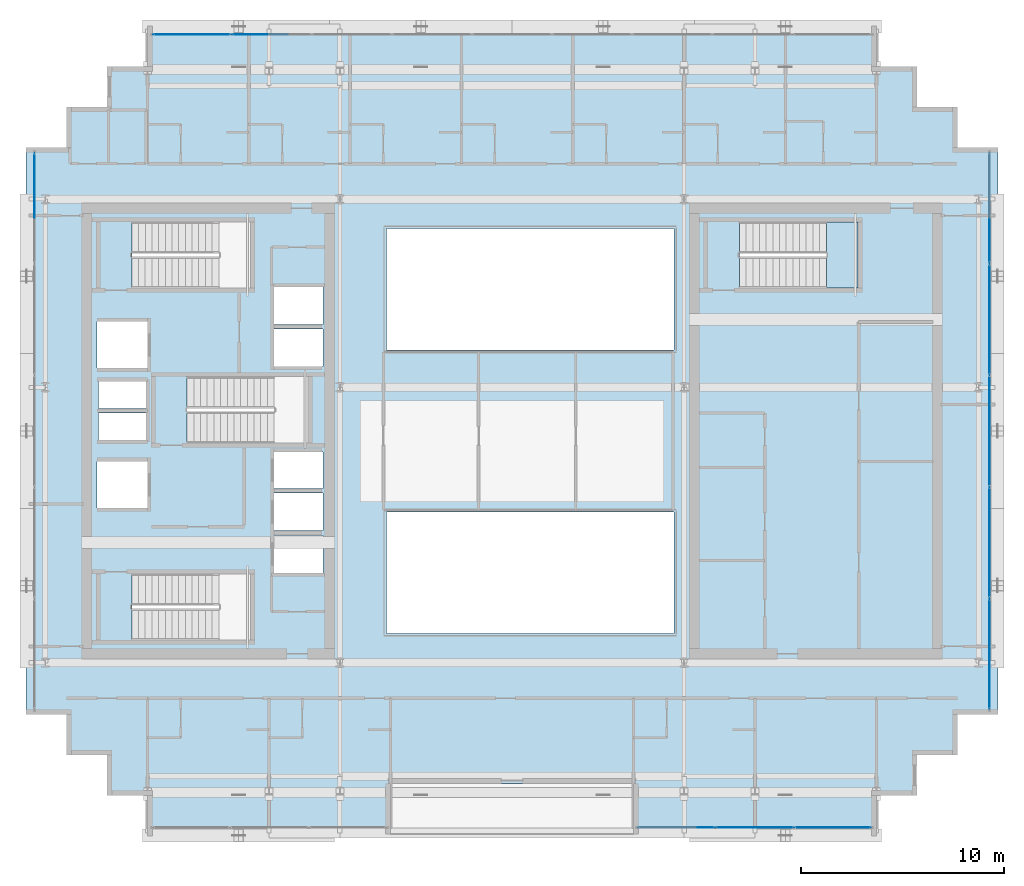
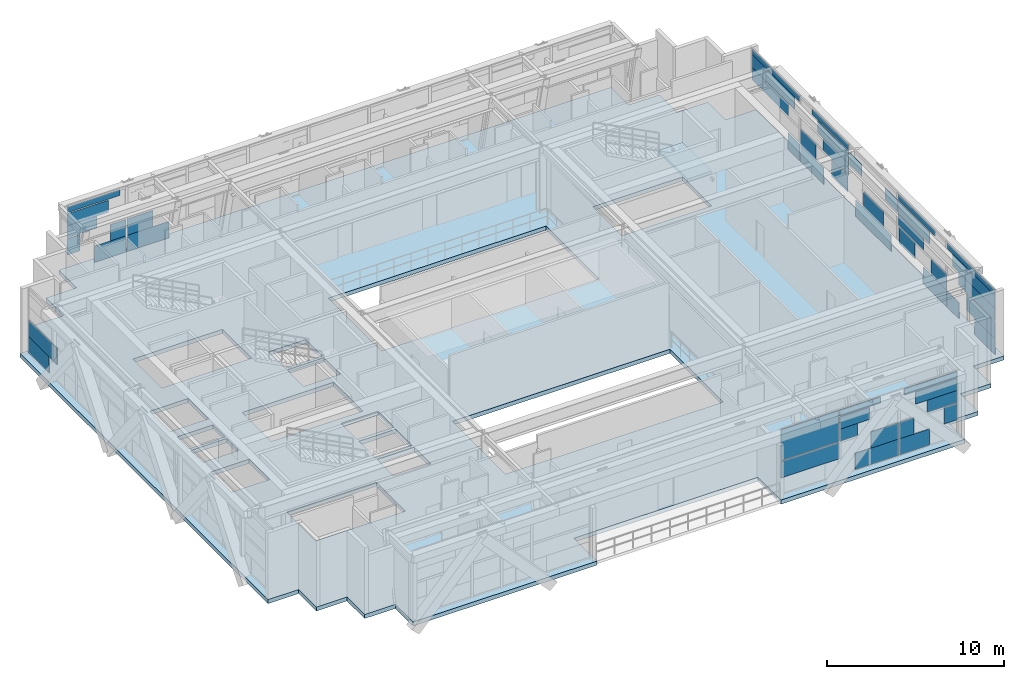
# One storey, part 20 of 31: 49 plates, 2 slabs, 5 elements without a shape of their own.
"""IFC4 building model written with IfcOpenShell, lengths in metres."""

from ifc_helpers import new_model, si_unit, direction, frame, origin, origin_2d, place, context, subcontext, project, spatial, polyline, rectangle, outline, extrude, source, transform, mapped, material, layer, layer_set, type_object, element, aggregate, save


model = new_model("IFC4")

# Units and contexts
model_context = context("Model", 3, precision=1e-05, world=origin(), true_north=direction((0.0, 1.0)))
body_context = subcontext(model_context, "Body", "Model", "MODEL_VIEW")
ifc_project = project(units=[si_unit("LENGTHUNIT", "METRE"), si_unit("AREAUNIT", "SQUARE_METRE"), si_unit("VOLUMEUNIT", "CUBIC_METRE"), si_unit("PLANEANGLEUNIT", "RADIAN"), si_unit("MASSUNIT", "GRAM", prefix="KILO")], contexts=[model_context])

# Site, building, storey
site_placement = place(None, origin())
site = spatial("IfcSite", under=ifc_project, at=site_placement, CompositionType="ELEMENT")
building_placement = place(site_placement, origin())
building = spatial("IfcBuilding", under=site, at=building_placement, Name="Ocotamira Hotel", CompositionType="ELEMENT")
storey_placement = place(building_placement, frame((0.0, 0.0, 228.0)))
storey = spatial("IfcBuildingStorey", under=building, at=storey_placement, Name="L57", CompositionType="ELEMENT", Elevation=228.0)

# Stair, slab
ifc_material_1 = material(Name="Concrete C40/50", Category="concrete")
stair_type = type_object("IfcStairType", Name="ST-CORE-1560", PredefinedType="HALF_TURN_STAIR", material=ifc_material_1)
stair_placement = place(storey_placement, origin())
stair = element("IfcStair", 1, at=stair_placement, inside=storey, type_object=stair_type, Name="L57 Exit Stair ST-4", PredefinedType="HALF_TURN_STAIR")
ifc_layer_1 = layer(ifc_material_1, 0.199951171875)
ifc_layer_set_1 = layer_set([ifc_layer_1], Name="Concrete C40/50")
slab_type_1 = type_object("IfcSlabType", Name="SLB-LAND-200", PredefinedType="LANDING", material=ifc_layer_set_1)
slab_1_placement = place(storey_placement, frame((0.0, 0.0, 2.199951171875)))
slab_1 = element("IfcSlab", 2, at=slab_1_placement, type_object=slab_type_1, Name="ST-4 landing 1", PredefinedType="LANDING", context=body_context, shape_type="SweptSolid", body=[
    extrude(outline(polyline([(47.52001953125, 33.050048828125), (49.090087890625, 33.050048828125), (49.090087890625, 36.330078125), (47.52001953125, 36.330078125), (47.52001953125, 33.050048828125)])), origin(), (0.0, 0.0, 1.0), 0.199951171875),
])
aggregate(stair, [slab_1])

# Slab
ifc_layer_2 = layer(ifc_material_1, 0.280029296875)
ifc_layer_set_2 = layer_set([ifc_layer_2], Name="Concrete C40/50")
slab_type_2 = type_object("IfcSlabType", Name="SLB-SKY-280", PredefinedType="FLOOR", material=ifc_layer_set_2)
slab_2_placement = place(storey_placement, frame((0.0, 0.0, -0.280029296875)))
element("IfcSlab", 3, at=slab_2_placement, inside=storey, type_object=slab_type_2, Name="L57 Structural Floor Slab", PredefinedType="FLOOR", context=body_context, shape_type="SweptSolid", body=[
    extrude(outline(polyline([(14.0, 6.0), (14.0, 8.0), (12.0, 8.0), (12.0, 10.0), (10.0, 10.0), (10.0, 12.0), (8.0, 12.0), (8.0, 40.0), (10.0, 40.0), (10.0, 42.0), (12.0, 42.0), (12.0, 44.0), (14.0, 44.0), (14.0, 46.0), (50.0, 46.0), (50.0, 44.0), (52.0, 44.0), (52.0, 42.0), (54.0, 42.0), (54.0, 40.0), (56.0, 40.0), (56.0, 12.0), (54.0, 12.0), (54.0, 10.0), (52.0, 10.0), (52.0, 8.0), (50.0, 8.0), (50.0, 6.0), (38.0, 6.0), (38.0, 8.60009765625), (26.0, 8.60009765625), (26.0, 6.0), (14.0, 6.0)]), holes=[polyline([(25.800048828125, 16.0), (40.0, 16.0), (40.0, 22.0), (25.800048828125, 22.0), (25.800048828125, 16.0)]), polyline([(25.800048828125, 30.0), (40.0, 30.0), (40.0, 36.0), (25.800048828125, 36.0), (25.800048828125, 30.0)]), polyline([(13.22998046875, 15.669921875), (19.090087890625, 15.669921875), (19.090087890625, 18.949951171875), (13.22998046875, 18.949951171875), (13.22998046875, 15.669921875)]), polyline([(13.22998046875, 33.050048828125), (19.090087890625, 33.050048828125), (19.090087890625, 36.330078125), (13.22998046875, 36.330078125), (13.22998046875, 33.050048828125)]), polyline([(15.9599609375, 25.39990234375), (21.919921875, 25.39990234375), (21.919921875, 28.679931640625), (15.9599609375, 28.679931640625), (15.9599609375, 25.39990234375)]), polyline([(43.22998046875, 33.050048828125), (49.090087890625, 33.050048828125), (49.090087890625, 36.330078125), (43.22998046875, 36.330078125), (43.22998046875, 33.050048828125)]), polyline([(20.25, 19.0), (22.659912109375, 19.0), (22.659912109375, 20.85009765625), (20.25, 20.85009765625), (20.25, 19.0)]), polyline([(20.25, 21.080078125), (22.659912109375, 21.080078125), (22.659912109375, 22.929931640625), (20.25, 22.929931640625), (20.25, 21.080078125)]), polyline([(20.25, 23.159912109375), (22.659912109375, 23.159912109375), (22.659912109375, 24.9599609375), (20.25, 24.9599609375), (20.25, 23.159912109375)]), polyline([(20.25, 29.179931640625), (22.659912109375, 29.179931640625), (22.659912109375, 31.030029296875), (20.25, 31.030029296875), (20.25, 29.179931640625)]), polyline([(20.25, 31.260009765625), (22.659912109375, 31.260009765625), (22.659912109375, 33.110107421875), (20.25, 33.110107421875), (20.25, 31.260009765625)]), polyline([(11.5, 22.199951171875), (14.0, 22.199951171875), (14.0, 24.5), (11.5, 24.5), (11.5, 22.199951171875)]), polyline([(11.5, 29.10009765625), (14.0, 29.10009765625), (14.0, 31.39990234375), (11.5, 31.39990234375), (11.5, 29.10009765625)]), polyline([(11.580078125, 25.550048828125), (13.919921875, 25.550048828125), (13.919921875, 26.89990234375), (11.580078125, 26.89990234375), (11.580078125, 25.550048828125)]), polyline([(11.580078125, 27.10009765625), (13.919921875, 27.10009765625), (13.919921875, 28.449951171875), (11.580078125, 28.449951171875), (11.580078125, 27.10009765625)])]), origin(), (0.0, 0.0, 1.0), 0.280029296875),
])

# Curtain wall, plates
ifc_material_2 = material(Name="Anodised pale-metal aluminium and solar glass", Category="aluminium")
ifc_layer_3 = layer(ifc_material_2, 0.239990234375)
ifc_layer_set_3 = layer_set([ifc_layer_3], Name="Anodised pale-metal aluminium and solar glass")
curtain_wall_type = type_object("IfcCurtainWallType", Name="CW-SYS5-SKY", PredefinedType="NOTDEFINED", material=ifc_layer_set_3)
curtain_wall_1_placement = place(storey_placement, origin())
curtain_wall_1 = element("IfcCurtainWall", 4, at=curtain_wall_1_placement, inside=storey, type_object=curtain_wall_type, Name="L57 Curtain Wall CW-5 CW-L57-S2", PredefinedType="NOTDEFINED")
ifc_material_3 = material(Name="Double-silver low-E insulated solar glass", Category="glass")
ifc_layer_4 = layer(ifc_material_3, 0.031982421875)
ifc_layer_set_4 = layer_set([ifc_layer_4], Name="Double-silver low-E insulated solar glass")
plate_type = type_object("IfcPlateType", Name="CWP-VISION-32", PredefinedType="CURTAIN_PANEL", material=ifc_layer_set_4)
shared_shape_1 = source(origin(), body_context, "Body", "SweptSolid", [
    extrude(rectangle(XDim=3.76318359375, YDim=0.031982421875, at=origin_2d()), origin(), (0.0, 0.0, 1.0), 1.118896484375),
])
plate_1_placement = place(storey_placement, frame((40.11181640625, 6.419921875, 1.19384765625), z_axis=(0.0, 0.0, 1.0), x_axis=(1.0, 0.0, 0.0)))
plate_1 = element("IfcPlate", 5, at=plate_1_placement, type_object=plate_type, Name="CW-5 panel 1.1.2", PredefinedType="CURTAIN_PANEL", context=body_context, shape_type="MappedRepresentation", body=[
    mapped(shared_shape_1, transform((0.0, 0.0, 0.0), scale=1.0)),
])
shared_shape_2 = source(origin(), body_context, "Body", "SweptSolid", [
    extrude(rectangle(XDim=0.839111328125, YDim=0.031982421875, at=origin_2d()), origin(), (0.0, 0.0, 1.0), 1.118896484375),
])
plate_2_placement = place(storey_placement, frame((49.300537109375, 6.419921875, 1.19384765625), z_axis=(0.0, 0.0, 1.0), x_axis=(1.0, 0.0, 0.0)))
plate_2 = element("IfcPlate", 6, at=plate_2_placement, type_object=plate_type, Name="CW-5 panel 3.1.3", PredefinedType="CURTAIN_PANEL", context=body_context, shape_type="MappedRepresentation", body=[
    mapped(shared_shape_2, transform((0.0, 0.0, 0.0), scale=1.0)),
])

# Curtain wall, plate
curtain_wall_2_placement = place(storey_placement, origin())
curtain_wall_2 = element("IfcCurtainWall", 7, at=curtain_wall_2_placement, inside=storey, type_object=curtain_wall_type, Name="L57 Curtain Wall CW-5 CW-L57-N", PredefinedType="NOTDEFINED")
plate_3_placement = place(storey_placement, frame((14.699462890625, 45.580078125, 1.19384765625), z_axis=(0.0, 0.0, 1.0), x_axis=(1.0, 0.0, 0.0)))
plate_3 = element("IfcPlate", 8, at=plate_3_placement, type_object=plate_type, Name="CW-5 panel 1.1.1", PredefinedType="CURTAIN_PANEL", context=body_context, shape_type="MappedRepresentation", body=[
    mapped(shared_shape_2, transform((0.0, 0.0, 0.0), scale=1.0)),
])

# Plate
shared_shape_3 = source(origin(), body_context, "Body", "SweptSolid", [
    extrude(rectangle(XDim=1.97021484375, YDim=0.031982421875, at=origin_2d()), origin(), (0.0, 0.0, 1.0), 1.118896484375),
])
plate_4_placement = place(storey_placement, frame((46.94189453125, 6.419921875, 0.0751953125), z_axis=(0.0, 0.0, 1.0), x_axis=(1.0, 0.0, 0.0)))
plate_4 = element("IfcPlate", 9, at=plate_4_placement, type_object=plate_type, Name="CW-5 panel 3.1.1", PredefinedType="CURTAIN_PANEL", context=body_context, shape_type="MappedRepresentation", body=[
    mapped(shared_shape_3, transform((0.0, 0.0, 0.0), scale=1.0)),
])

shared_shape_4 = source(origin(), body_context, "Body", "SweptSolid", [
    extrude(rectangle(XDim=0.934326171875, YDim=0.031982421875, at=origin_2d()), origin(), (0.0, 0.0, 1.0), 1.118896484375),
])
plate_5_placement = place(storey_placement, frame((46.423828125, 6.419921875, 1.19384765625), z_axis=(0.0, 0.0, 1.0), x_axis=(1.0, 0.0, 0.0)))
plate_5 = element("IfcPlate", 10, at=plate_5_placement, type_object=plate_type, Name="CW-5 panel 3.1.2", PredefinedType="CURTAIN_PANEL", context=body_context, shape_type="MappedRepresentation", body=[
    mapped(shared_shape_4, transform((0.0, 0.0, 0.0), scale=1.0)),
])

shared_shape_5 = source(origin(), body_context, "Body", "SweptSolid", [
    extrude(rectangle(XDim=1.9443359375, YDim=0.031982421875, at=origin_2d()), origin(), (0.0, 0.0, 1.0), 0.826904296875),
])
plate_6_placement = place(storey_placement, frame((48.747802734375, 6.419921875, 2.38720703125), z_axis=(0.0, 0.0, 1.0), x_axis=(1.0, 0.0, 0.0)))
plate_6 = element("IfcPlate", 11, at=plate_6_placement, type_object=plate_type, Name="CW-5 panel 3.2.3", PredefinedType="CURTAIN_PANEL", context=body_context, shape_type="MappedRepresentation", body=[
    mapped(shared_shape_5, transform((0.0, 0.0, 0.0), scale=1.0)),
])

plate_7_placement = place(storey_placement, frame((15.252197265625, 45.580078125, 2.38720703125), z_axis=(0.0, 0.0, 1.0), x_axis=(1.0, 0.0, 0.0)))
plate_7 = element("IfcPlate", 12, at=plate_7_placement, type_object=plate_type, Name="CW-5 panel 1.2.1", PredefinedType="CURTAIN_PANEL", context=body_context, shape_type="MappedRepresentation", body=[
    mapped(shared_shape_5, transform((0.0, 0.0, 0.0), scale=1.0)),
])

shared_shape_6 = source(origin(), body_context, "Body", "SweptSolid", [
    extrude(rectangle(XDim=2.7099609375, YDim=0.031982421875, at=origin_2d()), origin(), (0.0, 0.0, 1.0), 0.826904296875),
])
plate_8_placement = place(storey_placement, frame((48.364990234375, 6.419921875, 3.21435546875), z_axis=(0.0, 0.0, 1.0), x_axis=(1.0, 0.0, 0.0)))
plate_8 = element("IfcPlate", 13, at=plate_8_placement, type_object=plate_type, Name="CW-5 panel 3.2.2", PredefinedType="CURTAIN_PANEL", context=body_context, shape_type="MappedRepresentation", body=[
    mapped(shared_shape_6, transform((0.0, 0.0, 0.0), scale=1.0)),
])

plate_9_placement = place(storey_placement, frame((15.635009765625, 45.580078125, 3.21435546875), z_axis=(0.0, 0.0, 1.0), x_axis=(1.0, 0.0, 0.0)))
plate_9 = element("IfcPlate", 14, at=plate_9_placement, type_object=plate_type, Name="CW-5 panel 1.2.2", PredefinedType="CURTAIN_PANEL", context=body_context, shape_type="MappedRepresentation", body=[
    mapped(shared_shape_6, transform((0.0, 0.0, 0.0), scale=1.0)),
])

shared_shape_7 = source(origin(), body_context, "Body", "SweptSolid", [
    extrude(rectangle(XDim=3.44091796875, YDim=0.031982421875, at=origin_2d()), origin(), (0.0, 0.0, 1.0), 0.394287109375),
])
plate_10_placement = place(storey_placement, frame((47.99951171875, 6.419921875, 4.11083984375), z_axis=(0.0, 0.0, 1.0), x_axis=(1.0, 0.0, 0.0)))
plate_10 = element("IfcPlate", 15, at=plate_10_placement, type_object=plate_type, Name="CW-5 panel 3.2.1", PredefinedType="CURTAIN_PANEL", context=body_context, shape_type="MappedRepresentation", body=[
    mapped(shared_shape_7, transform((0.0, 0.0, 0.0), scale=1.0)),
])

plate_11_placement = place(storey_placement, frame((16.00048828125, 45.580078125, 4.11083984375), z_axis=(0.0, 0.0, 1.0), x_axis=(1.0, 0.0, 0.0)))
plate_11 = element("IfcPlate", 16, at=plate_11_placement, type_object=plate_type, Name="CW-5 panel 1.2.3", PredefinedType="CURTAIN_PANEL", context=body_context, shape_type="MappedRepresentation", body=[
    mapped(shared_shape_7, transform((0.0, 0.0, 0.0), scale=1.0)),
])

shared_shape_8 = source(origin(), body_context, "Body", "SweptSolid", [
    extrude(rectangle(XDim=2.8037109375, YDim=0.031982421875, at=origin_2d()), origin(), (0.0, 0.0, 1.0), 1.118896484375),
])
plate_12_placement = place(storey_placement, frame((44.474853515625, 6.419921875, 0.0751953125), z_axis=(0.0, 0.0, 1.0), x_axis=(1.0, 0.0, 0.0)))
plate_12 = element("IfcPlate", 17, at=plate_12_placement, type_object=plate_type, Name="CW-5 panel 2.1.1", PredefinedType="CURTAIN_PANEL", context=body_context, shape_type="MappedRepresentation", body=[
    mapped(shared_shape_8, transform((0.0, 0.0, 0.0), scale=1.0)),
])

shared_shape_9 = source(origin(), body_context, "Body", "SweptSolid", [
    extrude(rectangle(XDim=1.767578125, YDim=0.031982421875, at=origin_2d()), origin(), (0.0, 0.0, 1.0), 1.118896484375),
])
plate_13_placement = place(storey_placement, frame((44.992919921875, 6.419921875, 1.19384765625), z_axis=(0.0, 0.0, 1.0), x_axis=(1.0, 0.0, 0.0)))
plate_13 = element("IfcPlate", 18, at=plate_13_placement, type_object=plate_type, Name="CW-5 panel 2.1.2", PredefinedType="CURTAIN_PANEL", context=body_context, shape_type="MappedRepresentation", body=[
    mapped(shared_shape_9, transform((0.0, 0.0, 0.0), scale=1.0)),
])

shared_shape_10 = source(origin(), body_context, "Body", "SweptSolid", [
    extrude(rectangle(XDim=2.647705078125, YDim=0.031982421875, at=origin_2d()), origin(), (0.0, 0.0, 1.0), 0.394287109375),
])
plate_14_placement = place(storey_placement, frame((43.397216796875, 6.419921875, 4.11083984375), z_axis=(0.0, 0.0, 1.0), x_axis=(1.0, 0.0, 0.0)))
plate_14 = element("IfcPlate", 19, at=plate_14_placement, type_object=plate_type, Name="CW-5 panel 2.2.3", PredefinedType="CURTAIN_PANEL", context=body_context, shape_type="MappedRepresentation", body=[
    mapped(shared_shape_10, transform((0.0, 0.0, 0.0), scale=1.0)),
])

shared_shape_11 = source(origin(), body_context, "Body", "SweptSolid", [
    extrude(rectangle(XDim=1.91650390625, YDim=0.031982421875, at=origin_2d()), origin(), (0.0, 0.0, 1.0), 0.826904296875),
])
plate_15_placement = place(storey_placement, frame((43.031494140625, 6.419921875, 3.21435546875), z_axis=(0.0, 0.0, 1.0), x_axis=(1.0, 0.0, 0.0)))
plate_15 = element("IfcPlate", 20, at=plate_15_placement, type_object=plate_type, Name="CW-5 panel 2.2.2", PredefinedType="CURTAIN_PANEL", context=body_context, shape_type="MappedRepresentation", body=[
    mapped(shared_shape_11, transform((0.0, 0.0, 0.0), scale=1.0)),
])

shared_shape_12 = source(origin(), body_context, "Body", "SweptSolid", [
    extrude(rectangle(XDim=1.151123046875, YDim=0.031982421875, at=origin_2d()), origin(), (0.0, 0.0, 1.0), 0.826904296875),
])
plate_16_placement = place(storey_placement, frame((42.64892578125, 6.419921875, 2.38720703125), z_axis=(0.0, 0.0, 1.0), x_axis=(1.0, 0.0, 0.0)))
plate_16 = element("IfcPlate", 21, at=plate_16_placement, type_object=plate_type, Name="CW-5 panel 2.2.1", PredefinedType="CURTAIN_PANEL", context=body_context, shape_type="MappedRepresentation", body=[
    mapped(shared_shape_12, transform((0.0, 0.0, 0.0), scale=1.0)),
])

shared_shape_13 = source(origin(), body_context, "Body", "SweptSolid", [
    extrude(rectangle(XDim=3.763427734375, YDim=0.031982421875, at=origin_2d()), origin(), (0.0, 0.0, 1.0), 2.117431640625),
])
plate_17_placement = place(storey_placement, frame((40.111572265625, 6.419921875, 2.3876953125), z_axis=(0.0, 0.0, 1.0), x_axis=(1.0, 0.0, 0.0)))
plate_17 = element("IfcPlate", 22, at=plate_17_placement, type_object=plate_type, Name="CW-5 panel 1.2", PredefinedType="CURTAIN_PANEL", context=body_context, shape_type="MappedRepresentation", body=[
    mapped(shared_shape_13, transform((0.0, 0.0, 0.0), scale=1.0)),
])

aggregate(curtain_wall_1, [plate_1, plate_17, plate_12, plate_13, plate_16, plate_15, plate_14, plate_4, plate_5, plate_2, plate_10, plate_8, plate_6])

shared_shape_14 = source(origin(), body_context, "Body", "SweptSolid", [
    extrude(rectangle(XDim=2.04248046875, YDim=0.031982421875, at=origin_2d()), origin(), (0.0, 0.0, 1.0), 1.118896484375),
])
plate_18_placement = place(storey_placement, frame((17.09423828125, 45.580078125, 0.0751953125), z_axis=(0.0, 0.0, 1.0), x_axis=(1.0, 0.0, 0.0)))
plate_18 = element("IfcPlate", 23, at=plate_18_placement, type_object=plate_type, Name="CW-5 panel 1.1.2", PredefinedType="CURTAIN_PANEL", context=body_context, shape_type="MappedRepresentation", body=[
    mapped(shared_shape_14, transform((0.0, 0.0, 0.0), scale=1.0)),
])

shared_shape_15 = source(origin(), body_context, "Body", "SweptSolid", [
    extrude(rectangle(XDim=1.006591796875, YDim=0.031982421875, at=origin_2d()), origin(), (0.0, 0.0, 1.0), 1.118896484375),
])
plate_19_placement = place(storey_placement, frame((17.6123046875, 45.580078125, 1.19384765625), z_axis=(0.0, 0.0, 1.0), x_axis=(1.0, 0.0, 0.0)))
plate_19 = element("IfcPlate", 24, at=plate_19_placement, type_object=plate_type, Name="CW-5 panel 1.1.3", PredefinedType="CURTAIN_PANEL", context=body_context, shape_type="MappedRepresentation", body=[
    mapped(shared_shape_15, transform((0.0, 0.0, 0.0), scale=1.0)),
])

shared_shape_16 = source(origin(), body_context, "Body", "SweptSolid", [
    extrude(rectangle(XDim=2.7314453125, YDim=0.031982421875, at=origin_2d()), origin(), (0.0, 0.0, 1.0), 1.118896484375),
])
plate_20_placement = place(storey_placement, frame((19.561279296875, 45.580078125, 0.0751953125), z_axis=(0.0, 0.0, 1.0), x_axis=(1.0, 0.0, 0.0)))
plate_20 = element("IfcPlate", 25, at=plate_20_placement, type_object=plate_type, Name="CW-5 panel 2.1.1", PredefinedType="CURTAIN_PANEL", context=body_context, shape_type="MappedRepresentation", body=[
    mapped(shared_shape_16, transform((0.0, 0.0, 0.0), scale=1.0)),
])

shared_shape_17 = source(origin(), body_context, "Body", "SweptSolid", [
    extrude(rectangle(XDim=1.695556640625, YDim=0.031982421875, at=origin_2d()), origin(), (0.0, 0.0, 1.0), 1.118896484375),
])
plate_21_placement = place(storey_placement, frame((19.043212890625, 45.580078125, 1.19384765625), z_axis=(0.0, 0.0, 1.0), x_axis=(1.0, 0.0, 0.0)))
plate_21 = element("IfcPlate", 26, at=plate_21_placement, type_object=plate_type, Name="CW-5 panel 2.1.2", PredefinedType="CURTAIN_PANEL", context=body_context, shape_type="MappedRepresentation", body=[
    mapped(shared_shape_17, transform((0.0, 0.0, 0.0), scale=1.0)),
])

aggregate(curtain_wall_2, [plate_3, plate_18, plate_19, plate_7, plate_9, plate_11, plate_20, plate_21])

# Curtain wall, plate
curtain_wall_3_placement = place(storey_placement, origin())
curtain_wall_3 = element("IfcCurtainWall", 27, at=curtain_wall_3_placement, inside=storey, type_object=curtain_wall_type, Name="L57 Curtain Wall CW-5 CW-L57-W", PredefinedType="NOTDEFINED")
shared_shape_18 = source(origin(), body_context, "Body", "SweptSolid", [
    extrude(rectangle(XDim=2.300048828125, YDim=0.031982421875, at=origin_2d()), origin(), (0.0, 0.0, 1.0), 1.118896484375),
])
plate_22_placement = place(storey_placement, frame((8.419921875, 38.570068359375, 0.0751953125), z_axis=(0.0, 0.0, 1.0), x_axis=(0.0, 1.0, 0.0)))
plate_22 = element("IfcPlate", 28, at=plate_22_placement, type_object=plate_type, Name="CW-5 panel 5.1.3", PredefinedType="CURTAIN_PANEL", context=body_context, shape_type="MappedRepresentation", body=[
    mapped(shared_shape_18, transform((0.0, 0.0, 0.0), scale=1.0)),
])

curtain_wall_4_placement = place(storey_placement, origin())
curtain_wall_4 = element("IfcCurtainWall", 29, at=curtain_wall_4_placement, inside=storey, type_object=curtain_wall_type, Name="L57 Curtain Wall CW-5 CW-L57-E", PredefinedType="NOTDEFINED")
plate_23_placement = place(storey_placement, frame((55.580078125, 13.429931640625, 0.0751953125), z_axis=(0.0, 0.0, 1.0), x_axis=(0.0, 1.0, 0.0)))
plate_23 = element("IfcPlate", 30, at=plate_23_placement, type_object=plate_type, Name="CW-5 panel 1.1.1", PredefinedType="CURTAIN_PANEL", context=body_context, shape_type="MappedRepresentation", body=[
    mapped(shared_shape_18, transform((0.0, 0.0, 0.0), scale=1.0)),
])

# Plate
shared_shape_19 = source(origin(), body_context, "Body", "SweptSolid", [
    extrude(rectangle(XDim=3.1787109375, YDim=0.031982421875, at=origin_2d()), origin(), (0.0, 0.0, 1.0), 1.118896484375),
])
plate_24_placement = place(storey_placement, frame((8.419921875, 38.130615234375, 1.19384765625), z_axis=(0.0, 0.0, 1.0), x_axis=(0.0, 1.0, 0.0)))
plate_24 = element("IfcPlate", 31, at=plate_24_placement, type_object=plate_type, Name="CW-5 panel 5.1.2", PredefinedType="CURTAIN_PANEL", context=body_context, shape_type="MappedRepresentation", body=[
    mapped(shared_shape_19, transform((0.0, 0.0, 0.0), scale=1.0)),
])

aggregate(curtain_wall_3, [plate_24, plate_22])

plate_25_placement = place(storey_placement, frame((55.580078125, 13.869384765625, 1.19384765625), z_axis=(0.0, 0.0, 1.0), x_axis=(0.0, 1.0, 0.0)))
plate_25 = element("IfcPlate", 32, at=plate_25_placement, type_object=plate_type, Name="CW-5 panel 1.1.2", PredefinedType="CURTAIN_PANEL", context=body_context, shape_type="MappedRepresentation", body=[
    mapped(shared_shape_19, transform((0.0, 0.0, 0.0), scale=1.0)),
])

shared_shape_20 = source(origin(), body_context, "Body", "SweptSolid", [
    extrude(rectangle(XDim=1.331298828125, YDim=0.031982421875, at=origin_2d()), origin(), (0.0, 0.0, 1.0), 1.118896484375),
])
plate_26_placement = place(storey_placement, frame((55.580078125, 17.014404296875, 0.0751953125), z_axis=(0.0, 0.0, 1.0), x_axis=(0.0, 1.0, 0.0)))
plate_26 = element("IfcPlate", 33, at=plate_26_placement, type_object=plate_type, Name="CW-5 panel 1.1.3", PredefinedType="CURTAIN_PANEL", context=body_context, shape_type="MappedRepresentation", body=[
    mapped(shared_shape_20, transform((0.0, 0.0, 0.0), scale=1.0)),
])

plate_27_placement = place(storey_placement, frame((55.580078125, 34.985595703125, 0.0751953125), z_axis=(0.0, 0.0, 1.0), x_axis=(0.0, 1.0, 0.0)))
plate_27 = element("IfcPlate", 34, at=plate_27_placement, type_object=plate_type, Name="CW-5 panel 5.1.1", PredefinedType="CURTAIN_PANEL", context=body_context, shape_type="MappedRepresentation", body=[
    mapped(shared_shape_20, transform((0.0, 0.0, 0.0), scale=1.0)),
])

shared_shape_21 = source(origin(), body_context, "Body", "SweptSolid", [
    extrude(rectangle(XDim=4.1162109375, YDim=0.031982421875, at=origin_2d()), origin(), (0.0, 0.0, 1.0), 0.873046875),
])
plate_28_placement = place(storey_placement, frame((55.580078125, 14.338134765625, 2.387451171875), z_axis=(0.0, 0.0, 1.0), x_axis=(0.0, 1.0, 0.0)))
plate_28 = element("IfcPlate", 35, at=plate_28_placement, type_object=plate_type, Name="CW-5 panel 1.2.1", PredefinedType="CURTAIN_PANEL", context=body_context, shape_type="MappedRepresentation", body=[
    mapped(shared_shape_21, transform((0.0, 0.0, 0.0), scale=1.0)),
])

plate_29_placement = place(storey_placement, frame((55.580078125, 37.661865234375, 2.387451171875), z_axis=(0.0, 0.0, 1.0), x_axis=(0.0, 1.0, 0.0)))
plate_29 = element("IfcPlate", 36, at=plate_29_placement, type_object=plate_type, Name="CW-5 panel 5.2.3", PredefinedType="CURTAIN_PANEL", context=body_context, shape_type="MappedRepresentation", body=[
    mapped(shared_shape_21, transform((0.0, 0.0, 0.0), scale=1.0)),
])

shared_shape_22 = source(origin(), body_context, "Body", "SweptSolid", [
    extrude(rectangle(XDim=4.8017578125, YDim=0.031982421875, at=origin_2d()), origin(), (0.0, 0.0, 1.0), 0.873046875),
])
plate_30_placement = place(storey_placement, frame((55.580078125, 14.680908203125, 3.260498046875), z_axis=(0.0, 0.0, 1.0), x_axis=(0.0, 1.0, 0.0)))
plate_30 = element("IfcPlate", 37, at=plate_30_placement, type_object=plate_type, Name="CW-5 panel 1.2.2", PredefinedType="CURTAIN_PANEL", context=body_context, shape_type="MappedRepresentation", body=[
    mapped(shared_shape_22, transform((0.0, 0.0, 0.0), scale=1.0)),
])

plate_31_placement = place(storey_placement, frame((55.580078125, 37.319091796875, 3.260498046875), z_axis=(0.0, 0.0, 1.0), x_axis=(0.0, 1.0, 0.0)))
plate_31 = element("IfcPlate", 38, at=plate_31_placement, type_object=plate_type, Name="CW-5 panel 5.2.2", PredefinedType="CURTAIN_PANEL", context=body_context, shape_type="MappedRepresentation", body=[
    mapped(shared_shape_22, transform((0.0, 0.0, 0.0), scale=1.0)),
])

shared_shape_23 = source(origin(), body_context, "Body", "SweptSolid", [
    extrude(rectangle(XDim=5.39990234375, YDim=0.031982421875, at=origin_2d()), origin(), (0.0, 0.0, 1.0), 0.37158203125),
])
plate_32_placement = place(storey_placement, frame((55.580078125, 14.97998046875, 4.13330078125), z_axis=(0.0, 0.0, 1.0), x_axis=(0.0, 1.0, 0.0)))
plate_32 = element("IfcPlate", 39, at=plate_32_placement, type_object=plate_type, Name="CW-5 panel 1.2.3", PredefinedType="CURTAIN_PANEL", context=body_context, shape_type="MappedRepresentation", body=[
    mapped(shared_shape_23, transform((0.0, 0.0, 0.0), scale=1.0)),
])

plate_33_placement = place(storey_placement, frame((55.580078125, 37.02001953125, 4.13330078125), z_axis=(0.0, 0.0, 1.0), x_axis=(0.0, 1.0, 0.0)))
plate_33 = element("IfcPlate", 40, at=plate_33_placement, type_object=plate_type, Name="CW-5 panel 5.2.1", PredefinedType="CURTAIN_PANEL", context=body_context, shape_type="MappedRepresentation", body=[
    mapped(shared_shape_23, transform((0.0, 0.0, 0.0), scale=1.0)),
])

shared_shape_24 = source(origin(), body_context, "Body", "SweptSolid", [
    extrude(rectangle(XDim=2.62451171875, YDim=0.031982421875, at=origin_2d()), origin(), (0.0, 0.0, 1.0), 1.118896484375),
])
plate_34_placement = place(storey_placement, frame((55.580078125, 19.072265625, 0.0751953125), z_axis=(0.0, 0.0, 1.0), x_axis=(0.0, 1.0, 0.0)))
plate_34 = element("IfcPlate", 41, at=plate_34_placement, type_object=plate_type, Name="CW-5 panel 2.1.1", PredefinedType="CURTAIN_PANEL", context=body_context, shape_type="MappedRepresentation", body=[
    mapped(shared_shape_24, transform((0.0, 0.0, 0.0), scale=1.0)),
])

plate_35_placement = place(storey_placement, frame((55.580078125, 32.927734375, 0.0751953125), z_axis=(0.0, 0.0, 1.0), x_axis=(0.0, 1.0, 0.0)))
plate_35 = element("IfcPlate", 42, at=plate_35_placement, type_object=plate_type, Name="CW-5 panel 4.1.2", PredefinedType="CURTAIN_PANEL", context=body_context, shape_type="MappedRepresentation", body=[
    mapped(shared_shape_24, transform((0.0, 0.0, 0.0), scale=1.0)),
])

shared_shape_25 = source(origin(), body_context, "Body", "SweptSolid", [
    extrude(rectangle(XDim=1.74609375, YDim=0.031982421875, at=origin_2d()), origin(), (0.0, 0.0, 1.0), 1.118896484375),
])
plate_36_placement = place(storey_placement, frame((55.580078125, 18.633056640625, 1.19384765625), z_axis=(0.0, 0.0, 1.0), x_axis=(0.0, 1.0, 0.0)))
plate_36 = element("IfcPlate", 43, at=plate_36_placement, type_object=plate_type, Name="CW-5 panel 2.1.2", PredefinedType="CURTAIN_PANEL", context=body_context, shape_type="MappedRepresentation", body=[
    mapped(shared_shape_25, transform((0.0, 0.0, 0.0), scale=1.0)),
])

plate_37_placement = place(storey_placement, frame((55.580078125, 33.366943359375, 1.19384765625), z_axis=(0.0, 0.0, 1.0), x_axis=(0.0, 1.0, 0.0)))
plate_37 = element("IfcPlate", 44, at=plate_37_placement, type_object=plate_type, Name="CW-5 panel 4.1.3", PredefinedType="CURTAIN_PANEL", context=body_context, shape_type="MappedRepresentation", body=[
    mapped(shared_shape_25, transform((0.0, 0.0, 0.0), scale=1.0)),
])

shared_shape_26 = source(origin(), body_context, "Body", "SweptSolid", [
    extrude(rectangle(XDim=1.8173828125, YDim=0.031982421875, at=origin_2d()), origin(), (0.0, 0.0, 1.0), 1.118896484375),
])
plate_38_placement = place(storey_placement, frame((55.580078125, 22.183349609375, 1.19384765625), z_axis=(0.0, 0.0, 1.0), x_axis=(0.0, 1.0, 0.0)))
plate_38 = element("IfcPlate", 45, at=plate_38_placement, type_object=plate_type, Name="CW-5 panel 2.1.3", PredefinedType="CURTAIN_PANEL", context=body_context, shape_type="MappedRepresentation", body=[
    mapped(shared_shape_26, transform((0.0, 0.0, 0.0), scale=1.0)),
])

plate_39_placement = place(storey_placement, frame((55.580078125, 29.816650390625, 1.19384765625), z_axis=(0.0, 0.0, 1.0), x_axis=(0.0, 1.0, 0.0)))
plate_39 = element("IfcPlate", 46, at=plate_39_placement, type_object=plate_type, Name="CW-5 panel 4.1.1", PredefinedType="CURTAIN_PANEL", context=body_context, shape_type="MappedRepresentation", body=[
    mapped(shared_shape_26, transform((0.0, 0.0, 0.0), scale=1.0)),
])

shared_shape_27 = source(origin(), body_context, "Body", "SweptSolid", [
    extrude(rectangle(XDim=4.1376953125, YDim=0.031982421875, at=origin_2d()), origin(), (0.0, 0.0, 1.0), 0.37158203125),
])
plate_40_placement = place(storey_placement, frame((55.580078125, 21.131103515625, 4.13330078125), z_axis=(0.0, 0.0, 1.0), x_axis=(0.0, 1.0, 0.0)))
plate_40 = element("IfcPlate", 47, at=plate_40_placement, type_object=plate_type, Name="CW-5 panel 2.2.1", PredefinedType="CURTAIN_PANEL", context=body_context, shape_type="MappedRepresentation", body=[
    mapped(shared_shape_27, transform((0.0, 0.0, 0.0), scale=1.0)),
])

plate_41_placement = place(storey_placement, frame((55.580078125, 30.868896484375, 4.13330078125), z_axis=(0.0, 0.0, 1.0), x_axis=(0.0, 1.0, 0.0)))
plate_41 = element("IfcPlate", 48, at=plate_41_placement, type_object=plate_type, Name="CW-5 panel 4.2.3", PredefinedType="CURTAIN_PANEL", context=body_context, shape_type="MappedRepresentation", body=[
    mapped(shared_shape_27, transform((0.0, 0.0, 0.0), scale=1.0)),
])

shared_shape_28 = source(origin(), body_context, "Body", "SweptSolid", [
    extrude(rectangle(XDim=3.518798828125, YDim=0.031982421875, at=origin_2d()), origin(), (0.0, 0.0, 1.0), 0.83544921875),
])
plate_42_placement = place(storey_placement, frame((55.580078125, 21.4404296875, 3.222900390625), z_axis=(0.0, 0.0, 1.0), x_axis=(0.0, 1.0, 0.0)))
plate_42 = element("IfcPlate", 49, at=plate_42_placement, type_object=plate_type, Name="CW-5 panel 2.2.2", PredefinedType="CURTAIN_PANEL", context=body_context, shape_type="MappedRepresentation", body=[
    mapped(shared_shape_28, transform((0.0, 0.0, 0.0), scale=1.0)),
])

plate_43_placement = place(storey_placement, frame((55.580078125, 30.5595703125, 3.222900390625), z_axis=(0.0, 0.0, 1.0), x_axis=(0.0, 1.0, 0.0)))
plate_43 = element("IfcPlate", 50, at=plate_43_placement, type_object=plate_type, Name="CW-5 panel 4.2.2", PredefinedType="CURTAIN_PANEL", context=body_context, shape_type="MappedRepresentation", body=[
    mapped(shared_shape_28, transform((0.0, 0.0, 0.0), scale=1.0)),
])

shared_shape_29 = source(origin(), body_context, "Body", "SweptSolid", [
    extrude(rectangle(XDim=2.86279296875, YDim=0.031982421875, at=origin_2d()), origin(), (0.0, 0.0, 1.0), 0.83544921875),
])
plate_44_placement = place(storey_placement, frame((55.580078125, 21.7685546875, 2.387451171875), z_axis=(0.0, 0.0, 1.0), x_axis=(0.0, 1.0, 0.0)))
plate_44 = element("IfcPlate", 51, at=plate_44_placement, type_object=plate_type, Name="CW-5 panel 2.2.3", PredefinedType="CURTAIN_PANEL", context=body_context, shape_type="MappedRepresentation", body=[
    mapped(shared_shape_29, transform((0.0, 0.0, 0.0), scale=1.0)),
])

plate_45_placement = place(storey_placement, frame((55.580078125, 30.2314453125, 2.387451171875), z_axis=(0.0, 0.0, 1.0), x_axis=(0.0, 1.0, 0.0)))
plate_45 = element("IfcPlate", 52, at=plate_45_placement, type_object=plate_type, Name="CW-5 panel 4.2.1", PredefinedType="CURTAIN_PANEL", context=body_context, shape_type="MappedRepresentation", body=[
    mapped(shared_shape_29, transform((0.0, 0.0, 0.0), scale=1.0)),
])

shared_shape_30 = source(origin(), body_context, "Body", "SweptSolid", [
    extrude(rectangle(XDim=4.035888671875, YDim=0.031982421875, at=origin_2d()), origin(), (0.0, 0.0, 1.0), 1.118896484375),
])
plate_46_placement = place(storey_placement, frame((55.580078125, 26.0, 0.0751953125), z_axis=(0.0, 0.0, 1.0), x_axis=(0.0, 1.0, 0.0)))
plate_46 = element("IfcPlate", 53, at=plate_46_placement, type_object=plate_type, Name="CW-5 panel 3.1.1", PredefinedType="CURTAIN_PANEL", context=body_context, shape_type="MappedRepresentation", body=[
    mapped(shared_shape_30, transform((0.0, 0.0, 0.0), scale=1.0)),
])

shared_shape_31 = source(origin(), body_context, "Body", "SweptSolid", [
    extrude(rectangle(XDim=2.27880859375, YDim=0.031982421875, at=origin_2d()), origin(), (0.0, 0.0, 1.0), 1.118896484375),
])
plate_47_placement = place(storey_placement, frame((55.580078125, 26.0, 1.19384765625), z_axis=(0.0, 0.0, 1.0), x_axis=(0.0, 1.0, 0.0)))
plate_47 = element("IfcPlate", 54, at=plate_47_placement, type_object=plate_type, Name="CW-5 panel 3.1.2", PredefinedType="CURTAIN_PANEL", context=body_context, shape_type="MappedRepresentation", body=[
    mapped(shared_shape_31, transform((0.0, 0.0, 0.0), scale=1.0)),
])

shared_shape_32 = source(origin(), body_context, "Body", "SweptSolid", [
    extrude(rectangle(XDim=1.405517578125, YDim=0.031982421875, at=origin_2d()), origin(), (0.0, 0.0, 1.0), 0.83544921875),
])
plate_48_placement = place(storey_placement, frame((55.580078125, 23.98291015625, 3.222900390625), z_axis=(0.0, 0.0, 1.0), x_axis=(0.0, 1.0, 0.0)))
plate_48 = element("IfcPlate", 55, at=plate_48_placement, type_object=plate_type, Name="CW-5 panel 3.2.1", PredefinedType="CURTAIN_PANEL", context=body_context, shape_type="MappedRepresentation", body=[
    mapped(shared_shape_32, transform((0.0, 0.0, 0.0), scale=1.0)),
])

plate_49_placement = place(storey_placement, frame((55.580078125, 28.01708984375, 3.222900390625), z_axis=(0.0, 0.0, 1.0), x_axis=(0.0, 1.0, 0.0)))
plate_49 = element("IfcPlate", 56, at=plate_49_placement, type_object=plate_type, Name="CW-5 panel 3.2.2", PredefinedType="CURTAIN_PANEL", context=body_context, shape_type="MappedRepresentation", body=[
    mapped(shared_shape_32, transform((0.0, 0.0, 0.0), scale=1.0)),
])

aggregate(curtain_wall_4, [plate_23, plate_25, plate_26, plate_28, plate_30, plate_32, plate_34, plate_36, plate_38, plate_40, plate_42, plate_44, plate_46, plate_47, plate_48, plate_49, plate_39, plate_35, plate_37, plate_45, plate_43, plate_41, plate_27, plate_33, plate_31, plate_29])

save(model, "model.ifc")
